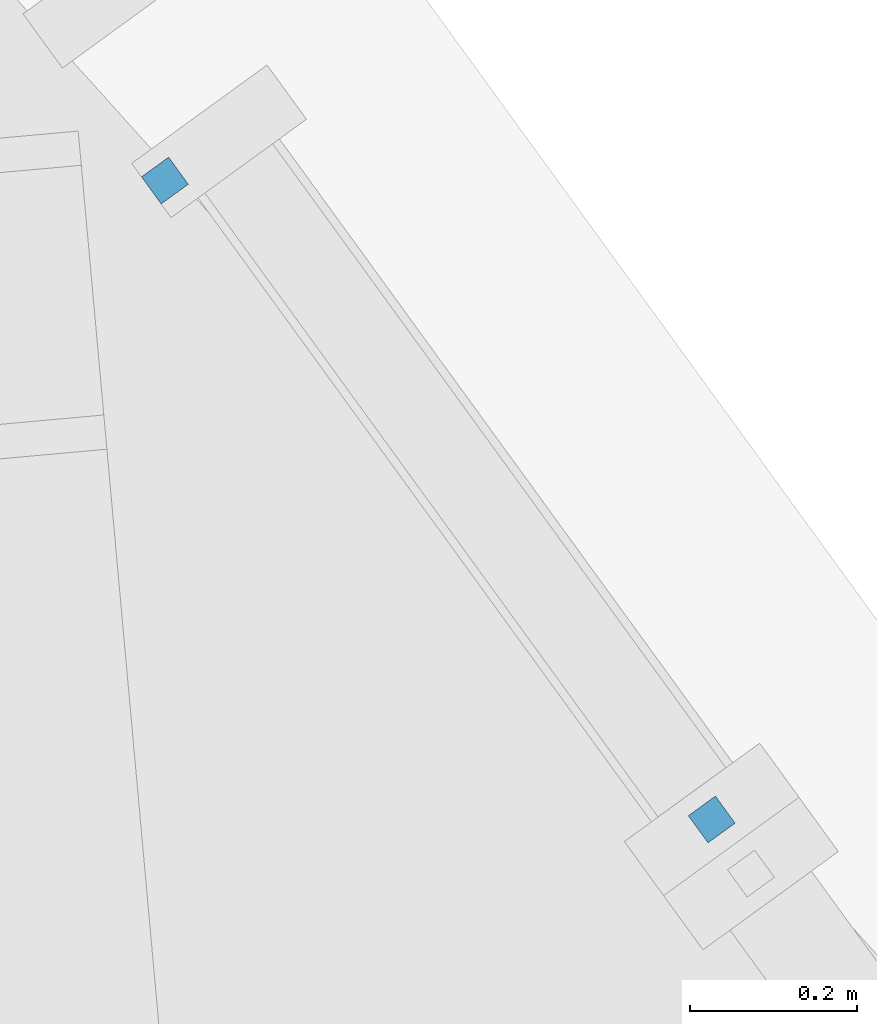
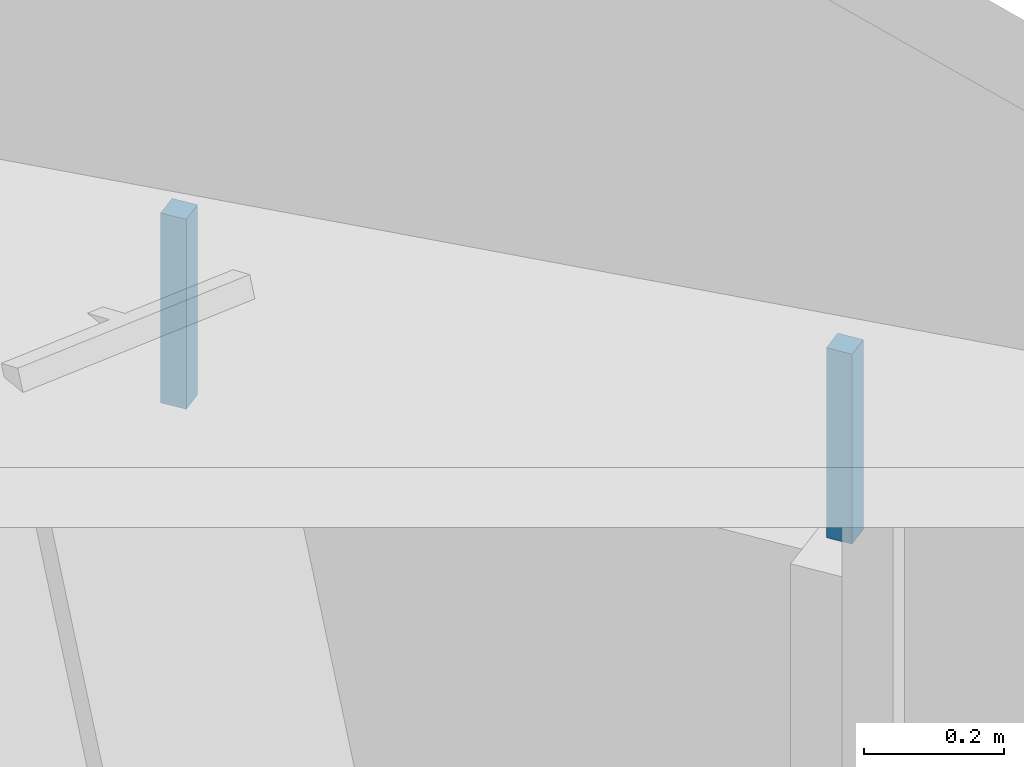
# One storey, part 17 of 23: 2 discrete accessories.
"""IFC4 building model written with IfcOpenShell, lengths in metres."""

from ifc_helpers import new_model, si_unit, direction, frame, origin, origin_2d, place, context, subcontext, project, spatial, rectangle, extrude, source, transform, mapped, material, element, save


model = new_model("IFC4")

# Units and contexts
model_context = context("Model", 3, precision=1e-05, world=origin(), true_north=direction((0.0, 1.0)))
body_context = subcontext(model_context, "Body", "Model", "MODEL_VIEW")
ifc_project = project(units=[si_unit("LENGTHUNIT", "METRE"), si_unit("AREAUNIT", "SQUARE_METRE"), si_unit("VOLUMEUNIT", "CUBIC_METRE"), si_unit("PLANEANGLEUNIT", "RADIAN"), si_unit("MASSUNIT", "GRAM", prefix="KILO")], contexts=[model_context])

# Site, building, storey
site_placement = place(None, origin())
site = spatial("IfcSite", under=ifc_project, at=site_placement, CompositionType="ELEMENT")
building_placement = place(site_placement, origin())
building = spatial("IfcBuilding", under=site, at=building_placement, Name="Triune Harvest Tower", CompositionType="ELEMENT")
storey_placement = place(building_placement, frame((0.0, 0.0, 255.699951171875)))
storey = spatial("IfcBuildingStorey", under=building, at=storey_placement, Name="L67", CompositionType="ELEMENT", Elevation=255.699951171875)

# Discrete accessories
ifc_material = material(Name="Steel ASTM A992 Gr 50", Category="steel")
shared_shape = source(origin(), body_context, "Body", "SweptSolid", [
    extrude(rectangle(XDim=0.0400390625, YDim=0.0400390625, at=origin_2d()), origin(), (0.0, 0.0, 1.0), 0.330078125),
])
for number, where, z_axis, x_axis, name in (
    (1, (22.161376953125, 3.529541015625, 2.06005859375), (0.0, 0.0, 1.0), (-0.587759835984, 0.809035459794, 0.0), "Mullion end bracket B6-F1 L67.701 upper"),
    (2, (21.5078125, 4.293212890625, 2.06005859375), (0.0, 0.0, 1.0), (-0.587759835984, 0.809035459794, 0.0), "Mullion end bracket B6-F1 L67.701 upper"),
):
    element("IfcDiscreteAccessory", number, at=place(storey_placement, frame(where, z_axis=z_axis, x_axis=x_axis)), inside=storey, material=ifc_material, Name=name, ObjectType="BRACKET", PredefinedType="USERDEFINED", context=body_context, shape_type="MappedRepresentation", body=[
        mapped(shared_shape, transform((0.0, 0.0, 0.0), scale=1.0)),
    ])

save(model, "model.ifc")
